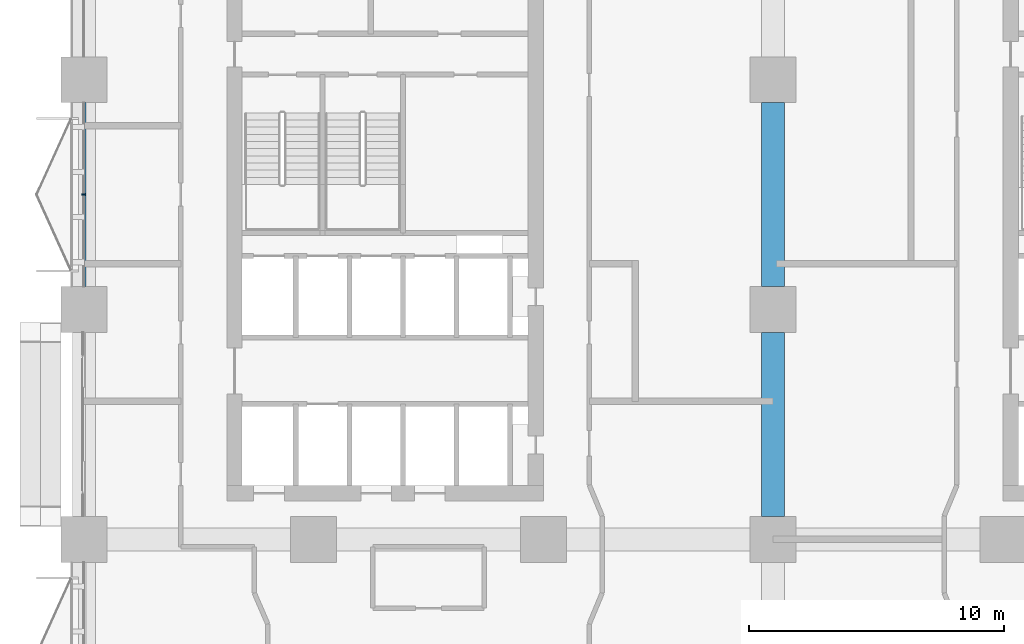
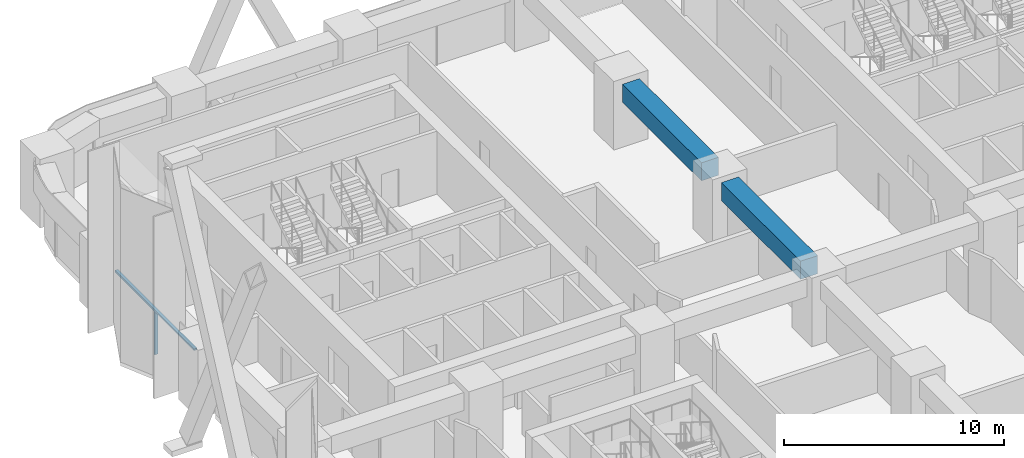
# One storey, part 7 of 26: 2 beams, 2 members, 1 element without a shape of its own.
"""IFC4 building model written with IfcOpenShell, lengths in metres."""

from ifc_helpers import new_model, si_unit, direction, frame, origin, origin_2d, place, context, subcontext, project, spatial, rectangle, extrude, material, material_profile, profile_set, type_object, element, aggregate, save


model = new_model("IFC4")

# Units and contexts
model_context = context("Model", 3, precision=1e-05, world=origin(), true_north=direction((0.0, 1.0)))
body_context = subcontext(model_context, "Body", "Model", "MODEL_VIEW")
ifc_project = project(units=[si_unit("LENGTHUNIT", "METRE"), si_unit("AREAUNIT", "SQUARE_METRE"), si_unit("VOLUMEUNIT", "CUBIC_METRE"), si_unit("PLANEANGLEUNIT", "RADIAN"), si_unit("MASSUNIT", "GRAM", prefix="KILO")], contexts=[model_context])

# Site, building, storey
site_placement = place(None, origin())
site = spatial("IfcSite", under=ifc_project, at=site_placement, CompositionType="ELEMENT")
building_placement = place(site_placement, origin())
building = spatial("IfcBuilding", under=site, at=building_placement, Name="Tessera Arch", CompositionType="ELEMENT")
storey_placement = place(building_placement, frame((0.0, 0.0, 31.0)))
storey = spatial("IfcBuildingStorey", under=building, at=storey_placement, Name="L05", CompositionType="ELEMENT", Elevation=31.0)

# Curtain wall, members
ifc_material_1 = material(Name="CW1 curtain wall")
curtain_wall_type = type_object("IfcCurtainWallType", Name="CW1 curtain wall", PredefinedType="NOTDEFINED", material=ifc_material_1)
curtain_wall_placement = place(storey_placement, origin())
curtain_wall = element("IfcCurtainWall", 1, at=curtain_wall_placement, inside=storey, type_object=curtain_wall_type, Name="CW1 curtain wall W0.0/1 L05", PredefinedType="NOTDEFINED")
ifc_material_2 = material(Name="Anodised aluminium pale metal", Category="aluminium")
ifc_material_profile_1 = material_profile(ifc_material_2, rectangle(XDim=0.159912109375, YDim=0.06005859375, at=origin_2d()), Name="AL 60x160")
ifc_profile_set_1 = profile_set([ifc_material_profile_1], Name="Anodised aluminium pale metal")
member_type_1 = type_object("IfcMemberType", Name="CW1 mullion", PredefinedType="MULLION", material=ifc_profile_set_1)
member_1_placement = place(storey_placement, frame((0.0, 40.5, 0.0), z_axis=(0.0, 0.0, 1.0), x_axis=(1.0, 0.0, 0.0)))
member_1 = element("IfcMember", 2, at=member_1_placement, type_object=member_type_1, Name="CW1 mullion W0.0/1 1", PredefinedType="MULLION", context=body_context, shape_type="SweptSolid", body=[
    extrude(rectangle(XDim=0.159912109375, YDim=0.06005859375, at=origin_2d()), origin(), (0.0, 0.0, 1.0), 2.39990234375),
])
ifc_material_3 = material(Name="Anodised aluminium pale metal", Category="aluminium")
ifc_material_profile_2 = material_profile(ifc_material_3, rectangle(XDim=0.159912109375, YDim=0.10009765625, at=origin_2d()), Name="AL 160x100")
ifc_profile_set_2 = profile_set([ifc_material_profile_2], Name="Anodised aluminium pale metal")
member_type_2 = type_object("IfcMemberType", Name="CW1 transom", PredefinedType="USERDEFINED", material=ifc_profile_set_2)
member_2_placement = place(storey_placement, frame((0.0, 44.10009765625, 2.449951171875), z_axis=(0.0, -1.0, 0.0), x_axis=(1.0, 0.0, 0.0)))
member_2 = element("IfcMember", 3, at=member_2_placement, type_object=member_type_2, Name="CW1 transom W0.0/1 1.1", ObjectType="TRANSOM", PredefinedType="USERDEFINED", context=body_context, shape_type="SweptSolid", body=[
    extrude(rectangle(XDim=0.159912109375, YDim=0.10009765625, at=origin_2d()), origin(), (0.0, 0.0, 1.0), 7.2001953125),
])
aggregate(curtain_wall, [member_1, member_2])

# Beams
ifc_material_4 = material(Name="Concrete C80/95", Category="concrete")
ifc_material_profile_3 = material_profile(ifc_material_4, rectangle(XDim=0.89990234375, YDim=1.0, at=origin_2d()), Name="RC spandrel beam 900 x 1000 Concrete C80/95")
ifc_profile_set_3 = profile_set([ifc_material_profile_3], Name="Concrete C80/95")
beam_type = type_object("IfcBeamType", Name="RC spandrel beam 900 x 1000 Concrete C80/95", PredefinedType="BEAM", material=ifc_profile_set_3)
for number, where, z_axis, x_axis, name in (
    (4, (27.0, 27.89990234375, 3.0), (0.0, 1.0, 0.0), (-1.0, 0.0, 0.0), "Interface beam L05 I0C4D-C4E"),
    (5, (27.0, 36.89990234375, 3.0), (0.0, 1.0, 0.0), (-1.0, 0.0, 0.0), "Interface beam L05 I0C4E-C4F"),
):
    element("IfcBeam", number, at=place(storey_placement, frame(where, z_axis=z_axis, x_axis=x_axis)), inside=storey, type_object=beam_type, Name=name, PredefinedType="BEAM", context=body_context, shape_type="SweptSolid", body=[
        extrude(rectangle(XDim=0.89990234375, YDim=1.0, at=origin_2d()), origin(), (0.0, 0.0, 1.0), 7.2001953125),
    ])

save(model, "model.ifc")
